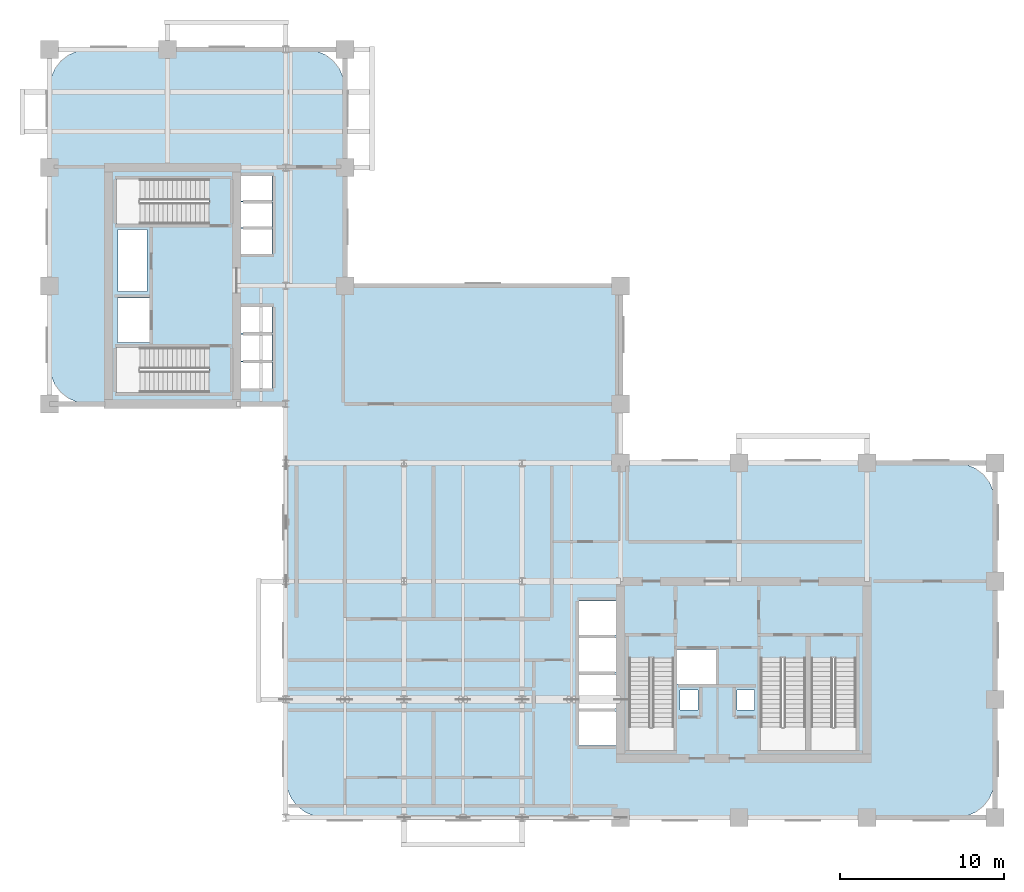
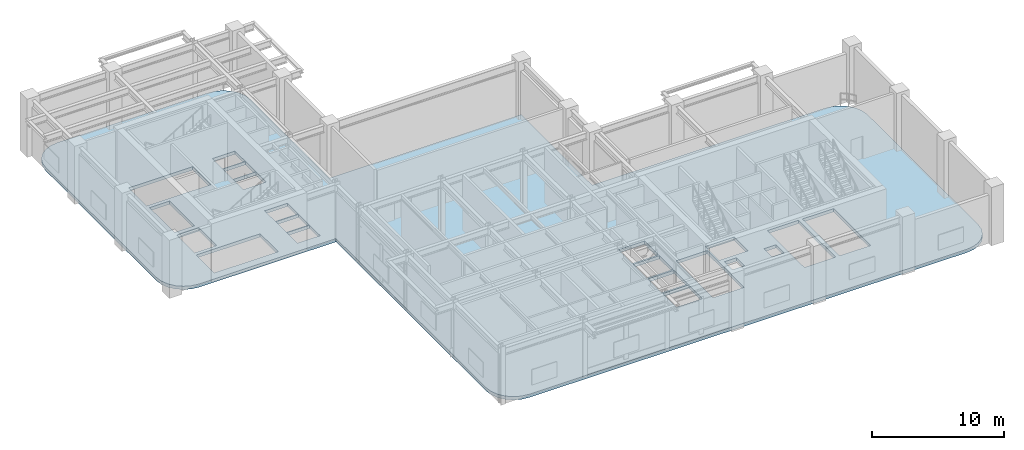
# One storey, part 5 of 12: 1 slab.
"""IFC4 building model written with IfcOpenShell, lengths in metres."""

from ifc_helpers import new_model, si_unit, derived_unit, direction, frame, origin, place, context, subcontext, project, spatial, polyline, outline, extrude, material, layer, layer_set, type_object, element, save


model = new_model("IFC4")

# Units and contexts
model_context = context("Model", 3, precision=1e-05, world=origin(), true_north=direction((0.0, 1.0)))
body_context = subcontext(model_context, "Body", "Model", "MODEL_VIEW")
ifc_project = project(units=[si_unit("LENGTHUNIT", "METRE"), si_unit("AREAUNIT", "SQUARE_METRE"), si_unit("VOLUMEUNIT", "CUBIC_METRE"), si_unit("PLANEANGLEUNIT", "RADIAN"), si_unit("MASSUNIT", "GRAM", prefix="KILO"), si_unit("THERMODYNAMICTEMPERATUREUNIT", "KELVIN"), si_unit("POWERUNIT", "WATT"), derived_unit("THERMALTRANSMITTANCEUNIT", [(si_unit("POWERUNIT", "WATT"), 1), (si_unit("AREAUNIT", "SQUARE_METRE"), -1), (si_unit("THERMODYNAMICTEMPERATUREUNIT", "KELVIN"), -1)])], contexts=[model_context])

# Site, building, storey
site_placement = place(None, origin())
site = spatial("IfcSite", under=ifc_project, at=site_placement, CompositionType="ELEMENT")
building_placement = place(site_placement, origin())
building = spatial("IfcBuilding", under=site, at=building_placement, Name="Zahravan Archway Hotel and Residences", CompositionType="ELEMENT")
storey_placement = place(building_placement, frame((0.0, 0.0, 106.39990234375)))
storey = spatial("IfcBuildingStorey", under=building, at=storey_placement, Name="L26", CompositionType="ELEMENT", Elevation=106.39990234375)

# Slab
ifc_material = material(Name="Concrete C50/60", Category="concrete")
ifc_layer = layer(ifc_material, 0.300048828125, Name="Concrete C50/60", Category="concrete")
ifc_layer_set = layer_set([ifc_layer], Name="Concrete C50/60")
slab_type = type_object("IfcSlabType", Name="SLB-FLR-300", PredefinedType="FLOOR", material=ifc_layer_set)
slab_placement = place(storey_placement, frame((0.0, 0.0, -0.2998046875)))
element("IfcSlab", 1, at=slab_placement, inside=storey, type_object=slab_type, Name="L26 Floor Slab LB", PredefinedType="FLOOR", context=body_context, shape_type="SweptSolid", body=[
    extrude(outline(polyline([(34.800048828125, 21.60009765625), (34.800048828125, 32.39990234375), (18.0, 32.39990234375), (18.0, 44.39990234375), (17.918212890625, 45.021240234375), (17.678466796875, 45.60009765625), (17.297119140625, 46.09716796875), (16.800048828125, 46.478515625), (16.22119140625, 46.71826171875), (15.60009765625, 46.800048828125), (2.39990234375, 46.800048828125), (1.77880859375, 46.71826171875), (1.199951171875, 46.478515625), (0.702880859375, 46.09716796875), (0.321533203125, 45.60009765625), (0.081787109375, 45.021240234375), (0.0, 44.39990234375), (0.0, 27.60009765625), (0.081787109375, 26.978759765625), (0.321533203125, 26.39990234375), (0.702880859375, 25.90283203125), (1.199951171875, 25.521484375), (1.77880859375, 25.28173828125), (2.39990234375, 25.199951171875), (14.39990234375, 25.199951171875), (14.39990234375, 19.199951171875), (14.39990234375, 19.10009765625), (14.39990234375, 2.39990234375), (14.481689453125, 1.77880859375), (14.721435546875, 1.199951171875), (15.102783203125, 0.702880859375), (15.60009765625, 0.321533203125), (16.1787109375, 0.081787109375), (16.800048828125, 0.0), (55.199951171875, 0.0), (55.8212890625, 0.081787109375), (56.39990234375, 0.321533203125), (56.897216796875, 0.702880859375), (57.278564453125, 1.199951171875), (57.518310546875, 1.77880859375), (57.60009765625, 2.39990234375), (57.60009765625, 19.199951171875), (57.518310546875, 19.8212890625), (57.278564453125, 20.39990234375), (56.897216796875, 20.897216796875), (56.39990234375, 21.278564453125), (55.8212890625, 21.518310546875), (55.199951171875, 21.60009765625), (34.800048828125, 21.60009765625)]), holes=[polyline([(35.300048828125, 9.72998046875), (35.300048828125, 4.10009765625), (38.0400390625, 4.10009765625), (38.0400390625, 9.72998046875), (35.300048828125, 9.72998046875)]), polyline([(43.320068359375, 9.72998046875), (43.320068359375, 4.10009765625), (46.06005859375, 4.10009765625), (46.06005859375, 9.72998046875), (43.320068359375, 9.72998046875)]), polyline([(46.39990234375, 9.72998046875), (46.39990234375, 4.10009765625), (49.139892578125, 4.10009765625), (49.139892578125, 9.72998046875), (46.39990234375, 9.72998046875)]), polyline([(9.72998046875, 28.639892578125), (4.10009765625, 28.639892578125), (4.10009765625, 25.89990234375), (9.72998046875, 25.89990234375), (9.72998046875, 28.639892578125)]), polyline([(9.72998046875, 38.89990234375), (4.10009765625, 38.89990234375), (4.10009765625, 36.159912109375), (9.72998046875, 36.159912109375), (9.72998046875, 38.89990234375)]), polyline([(38.179931640625, 8.14990234375), (40.699951171875, 8.14990234375), (40.699951171875, 10.25), (38.179931640625, 10.25), (38.179931640625, 8.14990234375)]), polyline([(4.14990234375, 28.949951171875), (6.10009765625, 28.949951171875), (6.10009765625, 31.64990234375), (4.14990234375, 31.64990234375), (4.14990234375, 28.949951171875)]), polyline([(11.550048828125, 26.14990234375), (13.550048828125, 26.14990234375), (13.550048828125, 27.75), (11.550048828125, 27.75), (11.550048828125, 26.14990234375)]), polyline([(11.550048828125, 27.830078125), (13.550048828125, 27.830078125), (13.550048828125, 29.429931640625), (11.550048828125, 29.429931640625), (11.550048828125, 27.830078125)]), polyline([(11.550048828125, 29.510009765625), (13.550048828125, 29.510009765625), (13.550048828125, 31.110107421875), (11.550048828125, 31.110107421875), (11.550048828125, 29.510009765625)]), polyline([(11.550048828125, 34.35009765625), (13.550048828125, 34.35009765625), (13.550048828125, 35.889892578125), (11.550048828125, 35.889892578125), (11.550048828125, 34.35009765625)]), polyline([(11.550048828125, 35.949951171875), (13.550048828125, 35.949951171875), (13.550048828125, 37.489990234375), (11.550048828125, 37.489990234375), (11.550048828125, 35.949951171875)]), polyline([(11.550048828125, 37.550048828125), (13.550048828125, 37.550048828125), (13.550048828125, 39.090087890625), (11.550048828125, 39.090087890625), (11.550048828125, 37.550048828125)]), polyline([(32.25, 4.39990234375), (34.550048828125, 4.39990234375), (34.550048828125, 6.47998046875), (32.25, 6.47998046875), (32.25, 4.39990234375)]), polyline([(32.25, 6.639892578125), (34.550048828125, 6.639892578125), (34.550048828125, 8.719970703125), (32.25, 8.719970703125), (32.25, 6.639892578125)]), polyline([(32.25, 8.8798828125), (34.550048828125, 8.8798828125), (34.550048828125, 10.9599609375), (32.25, 10.9599609375), (32.25, 8.8798828125)]), polyline([(32.25, 11.1201171875), (34.550048828125, 11.1201171875), (34.550048828125, 13.199951171875), (32.25, 13.199951171875), (32.25, 11.1201171875)]), polyline([(38.419921875, 6.56005859375), (39.5, 6.56005859375), (39.5, 7.780029296875), (38.419921875, 7.780029296875), (38.419921875, 6.56005859375)]), polyline([(41.89990234375, 6.56005859375), (42.9599609375, 6.56005859375), (42.9599609375, 7.780029296875), (41.89990234375, 7.780029296875), (41.89990234375, 6.56005859375)]), polyline([(4.179931640625, 32.050048828125), (5.93994140625, 32.050048828125), (5.93994140625, 35.840087890625), (4.179931640625, 35.840087890625), (4.179931640625, 32.050048828125)])]), origin(), (0.0, 0.0, 1.0), 0.2998046875),
])

save(model, "model.ifc")
